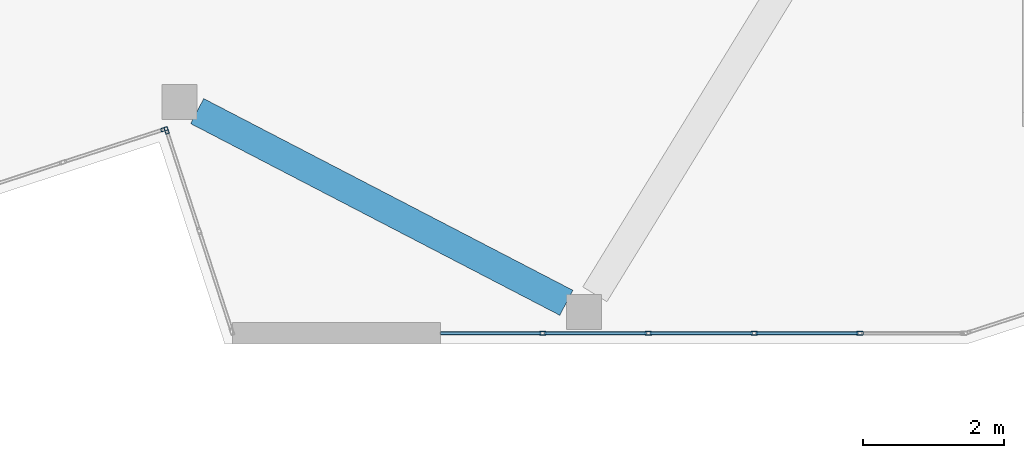
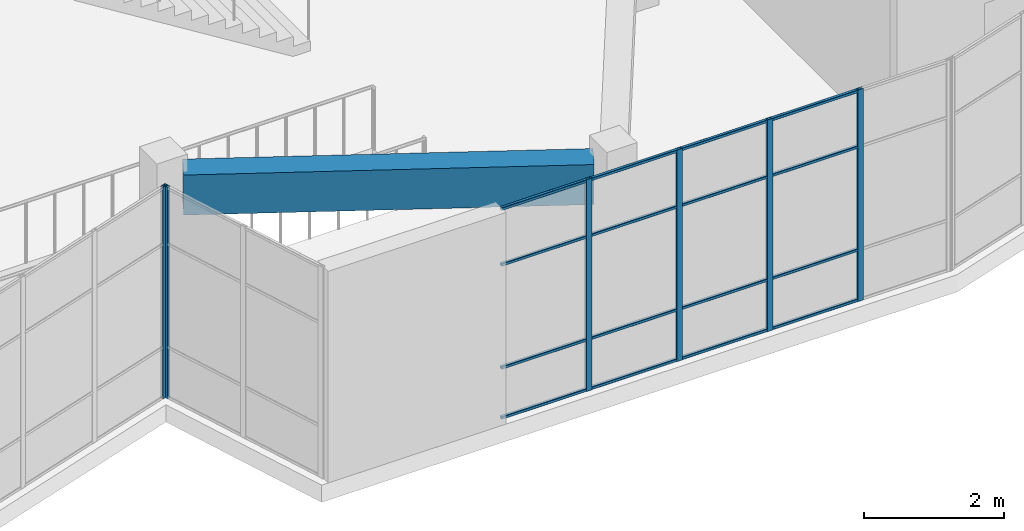
# One storey, part 9 of 66: 22 members, 1 beam, 3 elements without a shape of their own.
"""IFC4 building model written with IfcOpenShell, lengths in metres."""

from ifc_helpers import new_model, si_unit, direction, frame, origin, origin_2d, place, context, subcontext, project, spatial, rectangle, hollow_rectangle, extrude, material, layer, layer_set, material_profile, profile_set, type_object, element, aggregate, save


model = new_model("IFC4")

# Units and contexts
model_context = context("Model", 3, precision=1e-05, world=origin(), true_north=direction((0.0, 1.0)))
body_context = subcontext(model_context, "Body", "Model", "MODEL_VIEW")
ifc_project = project(units=[si_unit("LENGTHUNIT", "METRE"), si_unit("AREAUNIT", "SQUARE_METRE"), si_unit("VOLUMEUNIT", "CUBIC_METRE"), si_unit("PLANEANGLEUNIT", "RADIAN"), si_unit("MASSUNIT", "GRAM", prefix="KILO")], contexts=[model_context])

# Site, building, storey
site_placement = place(None, origin())
site = spatial("IfcSite", under=ifc_project, at=site_placement, CompositionType="ELEMENT")
building_placement = place(site_placement, origin())
building = spatial("IfcBuilding", under=site, at=building_placement, Name="Tuart Plaza Theatre", CompositionType="ELEMENT")
storey_placement = place(building_placement, frame((0.0, 0.0, 5.5)))
storey = spatial("IfcBuildingStorey", under=building, at=storey_placement, Name="L01", CompositionType="ELEMENT", Elevation=5.5)

# Beam
ifc_material_1 = material(Name="Concrete N40 (40 MPa)", Category="concrete")
ifc_material_profile_1 = material_profile(ifc_material_1, rectangle(XDim=0.39990234375, YDim=0.699951171875, at=origin_2d()), Name="BEAM 400x700 Concrete N40 (40 MPa)")
ifc_profile_set_1 = profile_set([ifc_material_profile_1], Name="Concrete N40 (40 MPa)")
beam_type = type_object("IfcBeamType", Name="BEAM 400x700 Concrete N40 (40 MPa)", PredefinedType="BEAM", material=ifc_profile_set_1)
beam_placement = place(storey_placement, frame((99.949951171875, 41.909912109375, 3.35009765625), z_axis=(-0.887507502734, 0.46079326448, 0.0), x_axis=(-0.46079326448, -0.887507502734, 0.0)))
element("IfcBeam", 1, at=beam_placement, inside=storey, type_object=beam_type, Name="RB465", PredefinedType="BEAM", context=body_context, shape_type="SweptSolid", body=[
    extrude(rectangle(XDim=0.39990234375, YDim=0.699951171875, at=origin_2d()), origin(), (0.0, 0.0, 1.0), 5.881591796875),
])

# Curtain wall, member
ifc_material_2 = material(Name="Aluminium and glass", Category="aluminium")
ifc_layer = layer(ifc_material_2, 0.10009765625)
ifc_layer_set = layer_set([ifc_layer], Name="CURTAIN WALL 1500 module")
curtain_wall_type = type_object("IfcCurtainWallType", Name="CURTAIN WALL 1500 module", PredefinedType="NOTDEFINED", material=ifc_layer_set)
curtain_wall_1_placement = place(storey_placement, origin())
curtain_wall_1 = element("IfcCurtainWall", 2, at=curtain_wall_1_placement, inside=storey, type_object=curtain_wall_type, Name="CW16", PredefinedType="NOTDEFINED")
ifc_material_3 = material(Name="Aluminium 6063-T5", Category="aluminium")
ifc_material_profile_2 = material_profile(ifc_material_3, hollow_rectangle(XDim=0.050048828125, YDim=0.10009765625, WallThickness=0.00390625, InnerFilletRadius=0.00390625, OuterFilletRadius=0.008056640625, at=origin_2d()), Name="RHS 100x50x4")
ifc_profile_set_2 = profile_set([ifc_material_profile_2], Name="Aluminium 6063-T5")
member_type_1 = type_object("IfcMemberType", Name="MULLION RHS 100x50x4", PredefinedType="MULLION", material=ifc_profile_set_2)
member_1_placement = place(storey_placement, frame((94.265625, 44.36328125, 0.0), z_axis=(0.0, 0.0, 1.0), x_axis=(-0.309018232632, 0.95105611396, 0.0)))
member_1 = element("IfcMember", 3, at=member_1_placement, type_object=member_type_1, Name="CW16 mullion 5", PredefinedType="MULLION", context=body_context, shape_type="SweptSolid", body=[
    extrude(hollow_rectangle(XDim=0.050048828125, YDim=0.10009765625, WallThickness=0.00390625, InnerFilletRadius=0.00390625, OuterFilletRadius=0.008056640625, at=origin_2d()), origin(), (0.0, 0.0, 1.0), 3.699951171875),
])
aggregate(curtain_wall_1, [member_1])

curtain_wall_2_placement = place(storey_placement, origin())
curtain_wall_2 = element("IfcCurtainWall", 4, at=curtain_wall_2_placement, inside=storey, type_object=curtain_wall_type, Name="CW17", PredefinedType="NOTDEFINED")
member_2_placement = place(storey_placement, frame((94.297119140625, 44.34716796875, 0.0), z_axis=(0.0, 0.0, 1.0), x_axis=(0.951056113949, 0.309018232665, 0.0)))
member_2 = element("IfcMember", 5, at=member_2_placement, type_object=member_type_1, Name="CW17 mullion 1", PredefinedType="MULLION", context=body_context, shape_type="SweptSolid", body=[
    extrude(hollow_rectangle(XDim=0.050048828125, YDim=0.10009765625, WallThickness=0.00390625, InnerFilletRadius=0.00390625, OuterFilletRadius=0.008056640625, at=origin_2d()), origin(), (0.0, 0.0, 1.0), 3.699951171875),
])
aggregate(curtain_wall_2, [member_2])

# Curtain wall, members
curtain_wall_3_placement = place(storey_placement, origin())
curtain_wall_3 = element("IfcCurtainWall", 6, at=curtain_wall_3_placement, inside=storey, type_object=curtain_wall_type, Name="CW18", PredefinedType="NOTDEFINED")
member_3_placement = place(storey_placement, frame((99.615234375, 41.47900390625, 0.0), z_axis=(0.0, 0.0, 1.0), x_axis=(0.0, 1.0, 0.0)))
member_3 = element("IfcMember", 7, at=member_3_placement, type_object=member_type_1, Name="CW18 mullion 2", PredefinedType="MULLION", context=body_context, shape_type="SweptSolid", body=[
    extrude(hollow_rectangle(XDim=0.050048828125, YDim=0.10009765625, WallThickness=0.00390625, InnerFilletRadius=0.00390625, OuterFilletRadius=0.008056640625, at=origin_2d()), origin(), (0.0, 0.0, 1.0), 3.699951171875),
])
member_4_placement = place(storey_placement, frame((101.110595703125, 41.47900390625, 0.0), z_axis=(0.0, 0.0, 1.0), x_axis=(0.0, 1.0, 0.0)))
member_4 = element("IfcMember", 8, at=member_4_placement, type_object=member_type_1, Name="CW18 mullion 3", PredefinedType="MULLION", context=body_context, shape_type="SweptSolid", body=[
    extrude(hollow_rectangle(XDim=0.050048828125, YDim=0.10009765625, WallThickness=0.00390625, InnerFilletRadius=0.00390625, OuterFilletRadius=0.008056640625, at=origin_2d()), origin(), (0.0, 0.0, 1.0), 3.699951171875),
])
member_5_placement = place(storey_placement, frame((102.605712890625, 41.47900390625, 0.0), z_axis=(0.0, 0.0, 1.0), x_axis=(0.0, 1.0, 0.0)))
member_5 = element("IfcMember", 9, at=member_5_placement, type_object=member_type_1, Name="CW18 mullion 4", PredefinedType="MULLION", context=body_context, shape_type="SweptSolid", body=[
    extrude(hollow_rectangle(XDim=0.050048828125, YDim=0.10009765625, WallThickness=0.00390625, InnerFilletRadius=0.00390625, OuterFilletRadius=0.008056640625, at=origin_2d()), origin(), (0.0, 0.0, 1.0), 3.699951171875),
])
member_6_placement = place(storey_placement, frame((104.10107421875, 41.47900390625, 0.0), z_axis=(0.0, 0.0, 1.0), x_axis=(0.0, 1.0, 0.0)))
member_6 = element("IfcMember", 10, at=member_6_placement, type_object=member_type_1, Name="CW18 mullion 5", PredefinedType="MULLION", context=body_context, shape_type="SweptSolid", body=[
    extrude(hollow_rectangle(XDim=0.050048828125, YDim=0.10009765625, WallThickness=0.00390625, InnerFilletRadius=0.00390625, OuterFilletRadius=0.008056640625, at=origin_2d()), origin(), (0.0, 0.0, 1.0), 3.699951171875),
])
ifc_material_4 = material(Name="Aluminium 6063-T5", Category="aluminium")
ifc_material_profile_3 = material_profile(ifc_material_4, hollow_rectangle(XDim=0.050048828125, YDim=0.050048828125, WallThickness=0.00390625, InnerFilletRadius=0.00390625, OuterFilletRadius=0.008056640625, at=origin_2d()), Name="RHS 50x50x4")
ifc_profile_set_3 = profile_set([ifc_material_profile_3], Name="Aluminium 6063-T5")
member_type_2 = type_object("IfcMemberType", Name="TRANSOM RHS 50x50x4", PredefinedType="USERDEFINED", material=ifc_profile_set_3)
member_7_placement = place(storey_placement, frame((98.169921875, 41.47900390625, 0.02490234375), z_axis=(1.0, 0.0, 0.0), x_axis=(0.0, 1.0, 0.0)))
member_7 = element("IfcMember", 11, at=member_7_placement, type_object=member_type_2, Name="CW18 transom 1.1", ObjectType="TRANSOM", PredefinedType="USERDEFINED", context=body_context, shape_type="SweptSolid", body=[
    extrude(hollow_rectangle(XDim=0.050048828125, YDim=0.050048828125, WallThickness=0.00390625, InnerFilletRadius=0.00390625, OuterFilletRadius=0.008056640625, at=origin_2d()), origin(), (0.0, 0.0, 1.0), 1.42041015625),
])
member_8_placement = place(storey_placement, frame((98.169921875, 41.47900390625, 0.89990234375), z_axis=(1.0, 0.0, 0.0), x_axis=(0.0, 1.0, 0.0)))
member_8 = element("IfcMember", 12, at=member_8_placement, type_object=member_type_2, Name="CW18 transom 1.2", ObjectType="TRANSOM", PredefinedType="USERDEFINED", context=body_context, shape_type="SweptSolid", body=[
    extrude(hollow_rectangle(XDim=0.050048828125, YDim=0.050048828125, WallThickness=0.00390625, InnerFilletRadius=0.00390625, OuterFilletRadius=0.008056640625, at=origin_2d()), origin(), (0.0, 0.0, 1.0), 1.42041015625),
])
member_9_placement = place(storey_placement, frame((98.169921875, 41.47900390625, 2.699951171875), z_axis=(1.0, 0.0, 0.0), x_axis=(0.0, 1.0, 0.0)))
member_9 = element("IfcMember", 13, at=member_9_placement, type_object=member_type_2, Name="CW18 transom 1.3", ObjectType="TRANSOM", PredefinedType="USERDEFINED", context=body_context, shape_type="SweptSolid", body=[
    extrude(hollow_rectangle(XDim=0.050048828125, YDim=0.050048828125, WallThickness=0.00390625, InnerFilletRadius=0.00390625, OuterFilletRadius=0.008056640625, at=origin_2d()), origin(), (0.0, 0.0, 1.0), 1.42041015625),
])
member_10_placement = place(storey_placement, frame((98.169921875, 41.47900390625, 3.675048828125), z_axis=(1.0, 0.0, 0.0), x_axis=(0.0, 1.0, 0.0)))
member_10 = element("IfcMember", 14, at=member_10_placement, type_object=member_type_2, Name="CW18 transom 1.4", ObjectType="TRANSOM", PredefinedType="USERDEFINED", context=body_context, shape_type="SweptSolid", body=[
    extrude(hollow_rectangle(XDim=0.050048828125, YDim=0.050048828125, WallThickness=0.00390625, InnerFilletRadius=0.00390625, OuterFilletRadius=0.008056640625, at=origin_2d()), origin(), (0.0, 0.0, 1.0), 1.42041015625),
])
member_11_placement = place(storey_placement, frame((99.64013671875, 41.47900390625, 0.02490234375), z_axis=(1.0, 0.0, 0.0), x_axis=(0.0, 1.0, 0.0)))
member_11 = element("IfcMember", 15, at=member_11_placement, type_object=member_type_2, Name="CW18 transom 2.1", ObjectType="TRANSOM", PredefinedType="USERDEFINED", context=body_context, shape_type="SweptSolid", body=[
    extrude(hollow_rectangle(XDim=0.050048828125, YDim=0.050048828125, WallThickness=0.00390625, InnerFilletRadius=0.00390625, OuterFilletRadius=0.008056640625, at=origin_2d()), origin(), (0.0, 0.0, 1.0), 1.4453125),
])
member_12_placement = place(storey_placement, frame((99.64013671875, 41.47900390625, 0.89990234375), z_axis=(1.0, 0.0, 0.0), x_axis=(0.0, 1.0, 0.0)))
member_12 = element("IfcMember", 16, at=member_12_placement, type_object=member_type_2, Name="CW18 transom 2.2", ObjectType="TRANSOM", PredefinedType="USERDEFINED", context=body_context, shape_type="SweptSolid", body=[
    extrude(hollow_rectangle(XDim=0.050048828125, YDim=0.050048828125, WallThickness=0.00390625, InnerFilletRadius=0.00390625, OuterFilletRadius=0.008056640625, at=origin_2d()), origin(), (0.0, 0.0, 1.0), 1.4453125),
])
member_13_placement = place(storey_placement, frame((99.64013671875, 41.47900390625, 2.699951171875), z_axis=(1.0, 0.0, 0.0), x_axis=(0.0, 1.0, 0.0)))
member_13 = element("IfcMember", 17, at=member_13_placement, type_object=member_type_2, Name="CW18 transom 2.3", ObjectType="TRANSOM", PredefinedType="USERDEFINED", context=body_context, shape_type="SweptSolid", body=[
    extrude(hollow_rectangle(XDim=0.050048828125, YDim=0.050048828125, WallThickness=0.00390625, InnerFilletRadius=0.00390625, OuterFilletRadius=0.008056640625, at=origin_2d()), origin(), (0.0, 0.0, 1.0), 1.4453125),
])
member_14_placement = place(storey_placement, frame((99.64013671875, 41.47900390625, 3.675048828125), z_axis=(1.0, 0.0, 0.0), x_axis=(0.0, 1.0, 0.0)))
member_14 = element("IfcMember", 18, at=member_14_placement, type_object=member_type_2, Name="CW18 transom 2.4", ObjectType="TRANSOM", PredefinedType="USERDEFINED", context=body_context, shape_type="SweptSolid", body=[
    extrude(hollow_rectangle(XDim=0.050048828125, YDim=0.050048828125, WallThickness=0.00390625, InnerFilletRadius=0.00390625, OuterFilletRadius=0.008056640625, at=origin_2d()), origin(), (0.0, 0.0, 1.0), 1.4453125),
])
member_15_placement = place(storey_placement, frame((101.135498046875, 41.47900390625, 0.02490234375), z_axis=(1.0, 0.0, 0.0), x_axis=(0.0, 1.0, 0.0)))
member_15 = element("IfcMember", 19, at=member_15_placement, type_object=member_type_2, Name="CW18 transom 3.1", ObjectType="TRANSOM", PredefinedType="USERDEFINED", context=body_context, shape_type="SweptSolid", body=[
    extrude(hollow_rectangle(XDim=0.050048828125, YDim=0.050048828125, WallThickness=0.00390625, InnerFilletRadius=0.00390625, OuterFilletRadius=0.008056640625, at=origin_2d()), origin(), (0.0, 0.0, 1.0), 1.4453125),
])
member_16_placement = place(storey_placement, frame((101.135498046875, 41.47900390625, 0.89990234375), z_axis=(1.0, 0.0, 0.0), x_axis=(0.0, 1.0, 0.0)))
member_16 = element("IfcMember", 20, at=member_16_placement, type_object=member_type_2, Name="CW18 transom 3.2", ObjectType="TRANSOM", PredefinedType="USERDEFINED", context=body_context, shape_type="SweptSolid", body=[
    extrude(hollow_rectangle(XDim=0.050048828125, YDim=0.050048828125, WallThickness=0.00390625, InnerFilletRadius=0.00390625, OuterFilletRadius=0.008056640625, at=origin_2d()), origin(), (0.0, 0.0, 1.0), 1.4453125),
])
member_17_placement = place(storey_placement, frame((101.135498046875, 41.47900390625, 2.699951171875), z_axis=(1.0, 0.0, 0.0), x_axis=(0.0, 1.0, 0.0)))
member_17 = element("IfcMember", 21, at=member_17_placement, type_object=member_type_2, Name="CW18 transom 3.3", ObjectType="TRANSOM", PredefinedType="USERDEFINED", context=body_context, shape_type="SweptSolid", body=[
    extrude(hollow_rectangle(XDim=0.050048828125, YDim=0.050048828125, WallThickness=0.00390625, InnerFilletRadius=0.00390625, OuterFilletRadius=0.008056640625, at=origin_2d()), origin(), (0.0, 0.0, 1.0), 1.4453125),
])
member_18_placement = place(storey_placement, frame((101.135498046875, 41.47900390625, 3.675048828125), z_axis=(1.0, 0.0, 0.0), x_axis=(0.0, 1.0, 0.0)))
member_18 = element("IfcMember", 22, at=member_18_placement, type_object=member_type_2, Name="CW18 transom 3.4", ObjectType="TRANSOM", PredefinedType="USERDEFINED", context=body_context, shape_type="SweptSolid", body=[
    extrude(hollow_rectangle(XDim=0.050048828125, YDim=0.050048828125, WallThickness=0.00390625, InnerFilletRadius=0.00390625, OuterFilletRadius=0.008056640625, at=origin_2d()), origin(), (0.0, 0.0, 1.0), 1.4453125),
])
member_19_placement = place(storey_placement, frame((102.630859375, 41.47900390625, 0.02490234375), z_axis=(1.0, 0.0, 0.0), x_axis=(0.0, 1.0, 0.0)))
member_19 = element("IfcMember", 23, at=member_19_placement, type_object=member_type_2, Name="CW18 transom 4.1", ObjectType="TRANSOM", PredefinedType="USERDEFINED", context=body_context, shape_type="SweptSolid", body=[
    extrude(hollow_rectangle(XDim=0.050048828125, YDim=0.050048828125, WallThickness=0.00390625, InnerFilletRadius=0.00390625, OuterFilletRadius=0.008056640625, at=origin_2d()), origin(), (0.0, 0.0, 1.0), 1.445068359375),
])
member_20_placement = place(storey_placement, frame((102.630859375, 41.47900390625, 0.89990234375), z_axis=(1.0, 0.0, 0.0), x_axis=(0.0, 1.0, 0.0)))
member_20 = element("IfcMember", 24, at=member_20_placement, type_object=member_type_2, Name="CW18 transom 4.2", ObjectType="TRANSOM", PredefinedType="USERDEFINED", context=body_context, shape_type="SweptSolid", body=[
    extrude(hollow_rectangle(XDim=0.050048828125, YDim=0.050048828125, WallThickness=0.00390625, InnerFilletRadius=0.00390625, OuterFilletRadius=0.008056640625, at=origin_2d()), origin(), (0.0, 0.0, 1.0), 1.445068359375),
])
member_21_placement = place(storey_placement, frame((102.630859375, 41.47900390625, 2.699951171875), z_axis=(1.0, 0.0, 0.0), x_axis=(0.0, 1.0, 0.0)))
member_21 = element("IfcMember", 25, at=member_21_placement, type_object=member_type_2, Name="CW18 transom 4.3", ObjectType="TRANSOM", PredefinedType="USERDEFINED", context=body_context, shape_type="SweptSolid", body=[
    extrude(hollow_rectangle(XDim=0.050048828125, YDim=0.050048828125, WallThickness=0.00390625, InnerFilletRadius=0.00390625, OuterFilletRadius=0.008056640625, at=origin_2d()), origin(), (0.0, 0.0, 1.0), 1.445068359375),
])
member_22_placement = place(storey_placement, frame((102.630859375, 41.47900390625, 3.675048828125), z_axis=(1.0, 0.0, 0.0), x_axis=(0.0, 1.0, 0.0)))
member_22 = element("IfcMember", 26, at=member_22_placement, type_object=member_type_2, Name="CW18 transom 4.4", ObjectType="TRANSOM", PredefinedType="USERDEFINED", context=body_context, shape_type="SweptSolid", body=[
    extrude(hollow_rectangle(XDim=0.050048828125, YDim=0.050048828125, WallThickness=0.00390625, InnerFilletRadius=0.00390625, OuterFilletRadius=0.008056640625, at=origin_2d()), origin(), (0.0, 0.0, 1.0), 1.445068359375),
])
aggregate(curtain_wall_3, [member_3, member_4, member_5, member_6, member_7, member_8, member_9, member_10, member_11, member_12, member_13, member_14, member_15, member_16, member_17, member_18, member_19, member_20, member_21, member_22])

save(model, "model.ifc")
